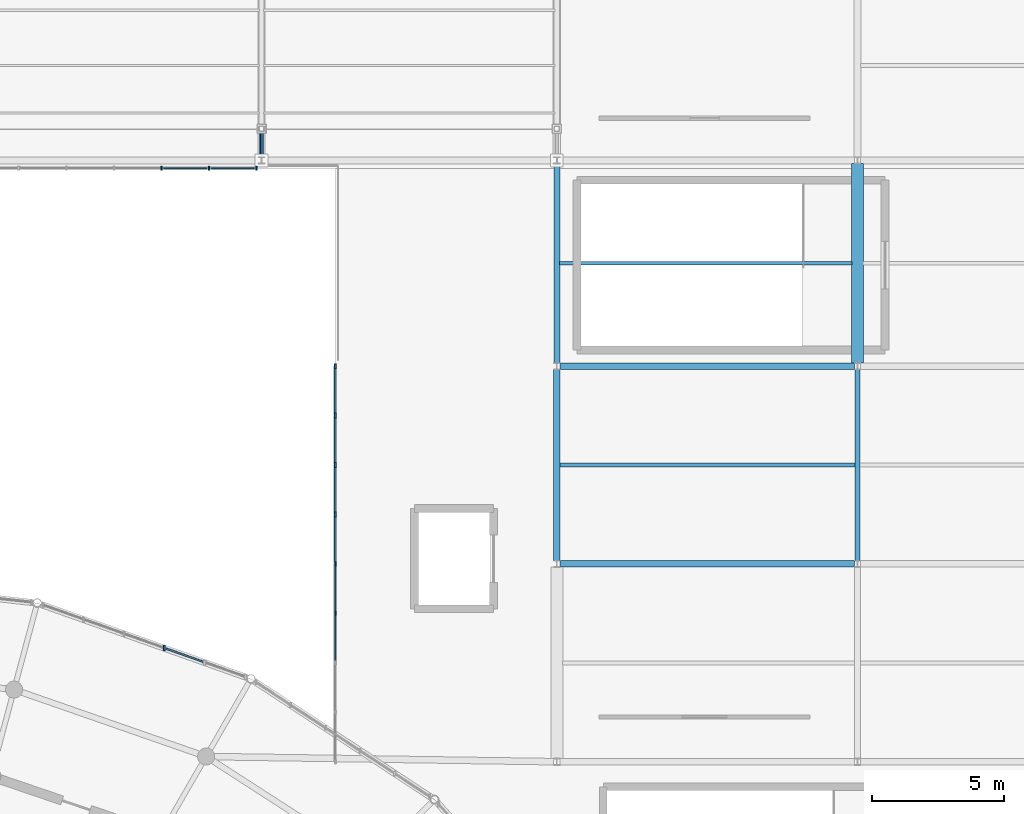
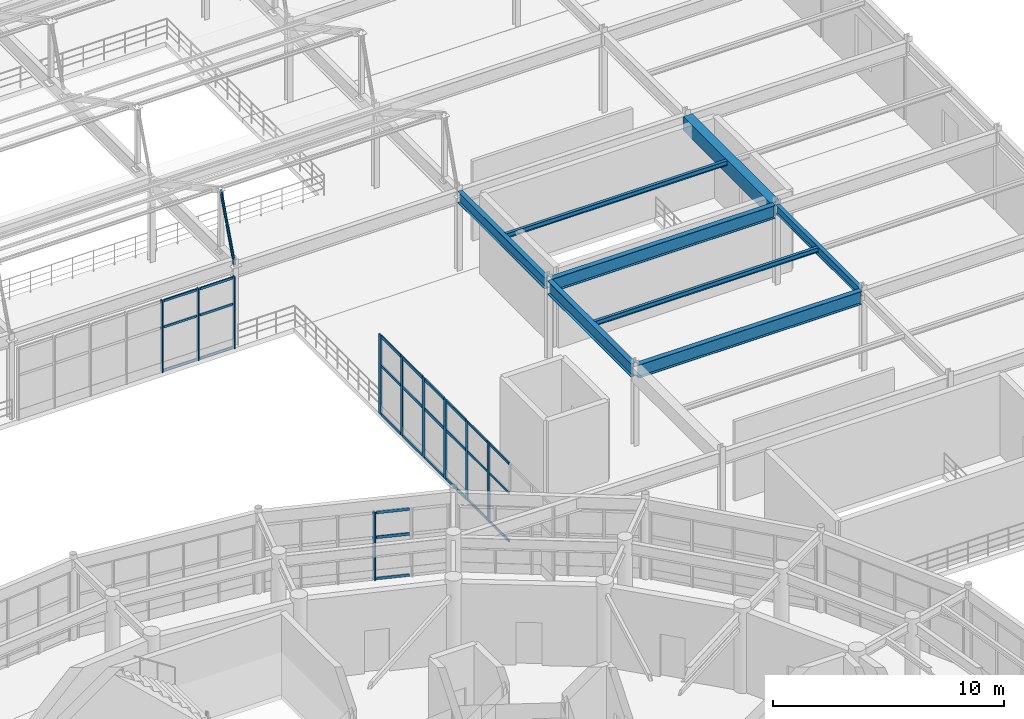
# One storey, part 64 of 112: 38 members, 8 beams, 4 elements without a shape of their own.
"""IFC4 building model written with IfcOpenShell, lengths in metres."""

from ifc_helpers import new_model, si_unit, direction, frame, origin, origin_2d, place, context, subcontext, project, spatial, rectangle, hollow_circle, i_section, extrude, material, material_profile, profile_set, type_object, element, aggregate, save


model = new_model("IFC4")

# Units and contexts
model_context = context("Model", 3, precision=1e-05, world=origin(), true_north=direction((0.0, 1.0)))
body_context = subcontext(model_context, "Body", "Model", "MODEL_VIEW")
ifc_project = project(units=[si_unit("LENGTHUNIT", "METRE"), si_unit("AREAUNIT", "SQUARE_METRE"), si_unit("VOLUMEUNIT", "CUBIC_METRE"), si_unit("PLANEANGLEUNIT", "RADIAN"), si_unit("MASSUNIT", "GRAM", prefix="KILO")], contexts=[model_context])

# Site, building, storey
site_placement = place(None, origin())
site = spatial("IfcSite", under=ifc_project, at=site_placement, CompositionType="ELEMENT")
building_placement = place(site_placement, origin())
building = spatial("IfcBuilding", under=site, at=building_placement, Name="Cinderbank Siding Concert Hall", CompositionType="ELEMENT")
storey_placement = place(building_placement, frame((0.0, 0.0, 10.199951171875)))
storey = spatial("IfcBuildingStorey", under=building, at=storey_placement, Name="L03", CompositionType="ELEMENT", Elevation=10.199951171875)

# Beams
ifc_material_1 = material(Name="Reinforced concrete AS 3600 N50 (50 MPa)", Category="concrete")
ifc_material_profile_1 = material_profile(ifc_material_1, rectangle(XDim=0.449951171875, YDim=0.75, at=origin_2d()), Name="RC-BM-450x750", Category="LoadBearing")
ifc_profile_set_1 = profile_set([ifc_material_profile_1], Name="Reinforced concrete AS 3600 N50 (50 MPa)")
beam_type_1 = type_object("IfcBeamType", Name="BM-RC750 RC-BM-450x750", PredefinedType="BEAM", material=ifc_profile_set_1)
beam_1_placement = place(storey_placement, frame((161.800048828125, 80.9189453125, 3.85693359375), z_axis=(0.0, 1.0, 0.0), x_axis=(-1.0, 0.0, 0.0)))
element("IfcBeam", 1, at=beam_1_placement, inside=storey, type_object=beam_type_1, Name="L03 Beam BM-RC750 #1797", PredefinedType="BEAM", context=body_context, shape_type="SweptSolid", body=[
    extrude(rectangle(XDim=0.449951171875, YDim=0.75, at=origin_2d()), origin(), (0.0, 0.0, 1.0), 7.56103515625),
])
ifc_material_2 = material(Name="Structural steel AS/NZS 3679.1 Grade 350 (340 MPa)", Category="steel")
ifc_material_profile_2 = material_profile(ifc_material_2, i_section(OverallWidth=0.18994140625, OverallDepth=0.45751953125, WebThickness=0.009033203125, FlangeThickness=0.014404296875, at=origin_2d()), Name="460UB74.6", Category="LoadBearing")
ifc_profile_set_2 = profile_set([ifc_material_profile_2], Name="Structural steel AS/NZS 3679.1 Grade 350 (340 MPa)")
beam_type_2 = type_object("IfcBeamType", Name="BM-UB460 460UB74.6", PredefinedType="BEAM", material=ifc_profile_set_2)
beam_2_placement = place(storey_placement, frame((161.800048828125, 73.4189453125, 4.00341796875), z_axis=(0.0, 1.0, 0.0), x_axis=(-1.0, 0.0, 0.0)))
element("IfcBeam", 2, at=beam_2_placement, inside=storey, type_object=beam_type_2, Name="L03 Beam BM-UB460 #1795", PredefinedType="BEAM", context=body_context, shape_type="SweptSolid", body=[
    extrude(i_section(OverallWidth=0.18994140625, OverallDepth=0.45751953125, WebThickness=0.009033203125, FlangeThickness=0.014404296875, at=origin_2d()), origin(), (0.0, 0.0, 1.0), 7.261962890625),
])
ifc_material_profile_3 = material_profile(ifc_material_2, i_section(OverallWidth=0.22802734375, OverallDepth=0.602294921875, WebThickness=0.010498046875, FlangeThickness=0.014892578125, at=origin_2d()), Name="610UB101", Category="LoadBearing")
ifc_profile_set_3 = profile_set([ifc_material_profile_3], Name="Structural steel AS/NZS 3679.1 Grade 350 (340 MPa)")
beam_type_3 = type_object("IfcBeamType", Name="BM-UB610 610UB101", PredefinedType="BEAM", material=ifc_profile_set_3)
beam_3_placement = place(storey_placement, frame((150.39990234375, 80.9189453125, 3.930908203125), z_axis=(0.0, 1.0, 0.0), x_axis=(-1.0, 0.0, 0.0)))
element("IfcBeam", 3, at=beam_3_placement, inside=storey, type_object=beam_type_3, Name="L03 Beam BM-UB610 #1791", PredefinedType="BEAM", context=body_context, shape_type="SweptSolid", body=[
    extrude(i_section(OverallWidth=0.22802734375, OverallDepth=0.602294921875, WebThickness=0.010498046875, FlangeThickness=0.014892578125, at=origin_2d()), origin(), (0.0, 0.0, 1.0), 7.56103515625),
])
ifc_material_3 = material(Name="Structural steel welded plate section AS/NZS 3679.2 / AS/NZS 3678 Grade 350 (340 MPa)", Category="steel")
ifc_material_profile_4 = material_profile(ifc_material_3, i_section(OverallWidth=0.25, OverallDepth=0.699951171875, WebThickness=0.010009765625, FlangeThickness=0.01611328125, at=origin_2d()), Name="700WB130", Category="LoadBearing")
ifc_profile_set_4 = profile_set([ifc_material_profile_4], Name="Structural steel welded plate section AS/NZS 3679.2 / AS/NZS 3678 Grade 350 (340 MPa)")
beam_type_4 = type_object("IfcBeamType", Name="BM-WB700 700WB130", PredefinedType="BEAM", material=ifc_profile_set_4)
beam_4_placement = place(storey_placement, frame((150.51904296875, 73.300048828125, 3.882080078125), z_axis=(1.0, 0.0, 0.0), x_axis=(0.0, 1.0, 0.0)))
element("IfcBeam", 4, at=beam_4_placement, inside=storey, type_object=beam_type_4, Name="L03 Beam BM-WB700 #1788", PredefinedType="BEAM", context=body_context, shape_type="SweptSolid", body=[
    extrude(i_section(OverallWidth=0.25, OverallDepth=0.699951171875, WebThickness=0.010009765625, FlangeThickness=0.01611328125, at=origin_2d()), origin(), (0.0, 0.0, 1.0), 11.161865234375),
])
beam_5_placement = place(storey_placement, frame((150.39990234375, 73.4189453125, 3.882080078125), z_axis=(0.0, 1.0, 0.0), x_axis=(-1.0, 0.0, 0.0)))
element("IfcBeam", 5, at=beam_5_placement, inside=storey, type_object=beam_type_4, Name="L03 Beam BM-WB700 #1789", PredefinedType="BEAM", context=body_context, shape_type="SweptSolid", body=[
    extrude(i_section(OverallWidth=0.25, OverallDepth=0.699951171875, WebThickness=0.010009765625, FlangeThickness=0.01611328125, at=origin_2d()), origin(), (0.0, 0.0, 1.0), 7.261962890625),
])
beam_6_placement = place(storey_placement, frame((150.51904296875, 80.800048828125, 3.882080078125), z_axis=(1.0, 0.0, 0.0), x_axis=(0.0, 1.0, 0.0)))
element("IfcBeam", 6, at=beam_6_placement, inside=storey, type_object=beam_type_4, Name="L03 Beam BM-WB700 #1790", PredefinedType="BEAM", context=body_context, shape_type="SweptSolid", body=[
    extrude(i_section(OverallWidth=0.25, OverallDepth=0.699951171875, WebThickness=0.010009765625, FlangeThickness=0.01611328125, at=origin_2d()), origin(), (0.0, 0.0, 1.0), 11.161865234375),
])

# Member
ifc_material_4 = material(Name="Structural steel hollow section AS/NZS 1163 Grade C350L0 (350 MPa)", Category="steel")
ifc_material_profile_5 = material_profile(ifc_material_4, hollow_circle(Radius=0.06982421875, WallThickness=0.00634765625, at=origin_2d()), Name="139.7x6.4CHS", Category="LoadBearing")
ifc_profile_set_5 = profile_set([ifc_material_profile_5], Name="Structural steel hollow section AS/NZS 1163 Grade C350L0 (350 MPa)")
member_type_1 = type_object("IfcMemberType", Name="BR-CHS139 139.7x6.4CHS Roof Truss", PredefinedType="BRACE", material=ifc_profile_set_5)
member_1_placement = place(storey_placement, frame((139.199951171875, 88.60009765625, 4.150146484375), z_axis=(0.0, 0.346361679598, 0.938101053675), x_axis=(-1.0, 0.0, 0.0)))
element("IfcMember", 7, at=member_1_placement, inside=storey, type_object=member_type_1, Name="L03 Diagonal Brace BR-CHS139 #V3DG-BR-CHS139-L03-2464", PredefinedType="BRACE", context=body_context, shape_type="SweptSolid", body=[
    extrude(hollow_circle(Radius=0.06982421875, WallThickness=0.00634765625, at=origin_2d()), origin(), (0.0, 0.0, 1.0), 3.46435546875),
])

# Curtain wall, members
ifc_material_5 = material(Name="Anodised aluminium alloy 6063-T6", Category="aluminium")
curtain_wall_type_1 = type_object("IfcCurtainWallType", Name="CW-16 Unitised Acoustic Curtain Wall 9200x3800", PredefinedType="NOTDEFINED", material=ifc_material_5)
curtain_wall_1_placement = place(storey_placement, origin())
curtain_wall_1 = element("IfcCurtainWall", 8, at=curtain_wall_1_placement, inside=storey, type_object=curtain_wall_type_1, Name="L03 Curtain Wall CW-16 #148", PredefinedType="NOTDEFINED")
ifc_material_profile_6 = material_profile(ifc_material_5, rectangle(XDim=0.06005859375, YDim=0.159912109375, at=origin_2d()), Name="ALU-MULL-60x160", Category="LoadBearing")
ifc_profile_set_6 = profile_set([ifc_material_profile_6], Name="Anodised aluminium alloy 6063-T6")
member_type_2 = type_object("IfcMemberType", Name="CW-ML1 Mullion 60x160", PredefinedType="MULLION", material=ifc_profile_set_6)
member_2_placement = place(storey_placement, frame((142.0, 71.425048828125, 0.0), z_axis=(0.0, 0.0, 1.0), x_axis=(1.0, 0.0, 0.0)))
member_2 = element("IfcMember", 9, at=member_2_placement, type_object=member_type_2, Name="CW-L03-148 Mullion 3", PredefinedType="MULLION", context=body_context, shape_type="SweptSolid", body=[
    extrude(rectangle(XDim=0.06005859375, YDim=0.159912109375, at=origin_2d()), origin(), (0.0, 0.0, 1.0), 4.215087890625),
])
member_3_placement = place(storey_placement, frame((142.0, 73.300048828125, 0.0), z_axis=(0.0, 0.0, 1.0), x_axis=(1.0, 0.0, 0.0)))
member_3 = element("IfcMember", 10, at=member_3_placement, type_object=member_type_2, Name="CW-L03-148 Mullion 4", PredefinedType="MULLION", context=body_context, shape_type="SweptSolid", body=[
    extrude(rectangle(XDim=0.06005859375, YDim=0.159912109375, at=origin_2d()), origin(), (0.0, 0.0, 1.0), 4.215087890625),
])

curtain_wall_2_placement = place(storey_placement, origin())
curtain_wall_2 = element("IfcCurtainWall", 11, at=curtain_wall_2_placement, inside=storey, type_object=curtain_wall_type_1, Name="L03 Curtain Wall CW-16 #152", PredefinedType="NOTDEFINED")
member_4_placement = place(storey_placement, frame((135.40234375, 88.300048828125, 0.0), z_axis=(0.0, 0.0, 1.0), x_axis=(1.0, 0.0, 0.0)))
member_4 = element("IfcMember", 12, at=member_4_placement, type_object=member_type_2, Name="CW-L03-152 Mullion 4", PredefinedType="MULLION", context=body_context, shape_type="SweptSolid", body=[
    extrude(rectangle(XDim=0.06005859375, YDim=0.159912109375, at=origin_2d()), origin(), (0.0, 0.0, 1.0), 3.797119140625),
])
member_5_placement = place(storey_placement, frame((137.20458984375, 88.300048828125, 0.0), z_axis=(0.0, 0.0, 1.0), x_axis=(1.0, 0.0, 0.0)))
member_5 = element("IfcMember", 13, at=member_5_placement, type_object=member_type_2, Name="CW-L03-152 Mullion 5", PredefinedType="MULLION", context=body_context, shape_type="SweptSolid", body=[
    extrude(rectangle(XDim=0.06005859375, YDim=0.159912109375, at=origin_2d()), origin(), (0.0, 0.0, 1.0), 3.797119140625),
])
member_6_placement = place(storey_placement, frame((139.007080078125, 88.300048828125, 0.0), z_axis=(0.0, 0.0, 1.0), x_axis=(1.0, 0.0, 0.0)))
member_6 = element("IfcMember", 14, at=member_6_placement, type_object=member_type_2, Name="CW-L03-152 Mullion 6", PredefinedType="MULLION", context=body_context, shape_type="SweptSolid", body=[
    extrude(rectangle(XDim=0.06005859375, YDim=0.159912109375, at=origin_2d()), origin(), (0.0, 0.0, 1.0), 3.797119140625),
])

# Curtain wall, member
curtain_wall_type_2 = type_object("IfcCurtainWallType", Name="CW-05 Unitised Acoustic Curtain Wall 8200x3800", PredefinedType="NOTDEFINED", material=ifc_material_5)
curtain_wall_3_placement = place(storey_placement, origin())
curtain_wall_3 = element("IfcCurtainWall", 15, at=curtain_wall_3_placement, inside=storey, type_object=curtain_wall_type_2, Name="L03 Curtain Wall CW-05 #29", PredefinedType="NOTDEFINED")
ifc_material_profile_7 = material_profile(ifc_material_5, rectangle(XDim=0.06494140625, YDim=0.199951171875, at=origin_2d()), Name="ALU-MULL-65x200", Category="LoadBearing")
ifc_profile_set_7 = profile_set([ifc_material_profile_7], Name="Anodised aluminium alloy 6063-T6")
member_type_3 = type_object("IfcMemberType", Name="CW-ML2 Mullion 65x200", PredefinedType="MULLION", material=ifc_profile_set_7)
member_7_placement = place(storey_placement, frame((135.515625, 70.107666015625, 0.0), z_axis=(0.0, 0.0, 1.0), x_axis=(1.0, 0.0, 0.0)))
member_7 = element("IfcMember", 16, at=member_7_placement, type_object=member_type_3, Name="CW-L03-029 Mullion 2", PredefinedType="MULLION", context=body_context, shape_type="SweptSolid", body=[
    extrude(rectangle(XDim=0.06494140625, YDim=0.199951171875, at=origin_2d()), origin(), (0.0, 0.0, 1.0), 3.616943359375),
])

# Curtain wall, members
curtain_wall_4_placement = place(storey_placement, origin())
curtain_wall_4 = element("IfcCurtainWall", 17, at=curtain_wall_4_placement, inside=storey, type_object=curtain_wall_type_1, Name="L03 Curtain Wall CW-16 #149", PredefinedType="NOTDEFINED")
member_8_placement = place(storey_placement, frame((142.0, 75.175048828125, 0.0), z_axis=(0.0, 0.0, 1.0), x_axis=(1.0, 0.0, 0.0)))
member_8 = element("IfcMember", 18, at=member_8_placement, type_object=member_type_3, Name="CW-L03-149 Mullion 1", PredefinedType="MULLION", context=body_context, shape_type="SweptSolid", body=[
    extrude(rectangle(XDim=0.06494140625, YDim=0.199951171875, at=origin_2d()), origin(), (0.0, 0.0, 1.0), 4.215087890625),
])
member_9_placement = place(storey_placement, frame((142.0, 77.050048828125, 0.0), z_axis=(0.0, 0.0, 1.0), x_axis=(1.0, 0.0, 0.0)))
member_9 = element("IfcMember", 19, at=member_9_placement, type_object=member_type_3, Name="CW-L03-149 Mullion 2", PredefinedType="MULLION", context=body_context, shape_type="SweptSolid", body=[
    extrude(rectangle(XDim=0.06494140625, YDim=0.199951171875, at=origin_2d()), origin(), (0.0, 0.0, 1.0), 4.215087890625),
])
member_10_placement = place(storey_placement, frame((142.0, 78.925048828125, 0.0), z_axis=(0.0, 0.0, 1.0), x_axis=(1.0, 0.0, 0.0)))
member_10 = element("IfcMember", 20, at=member_10_placement, type_object=member_type_3, Name="CW-L03-149 Mullion 3", PredefinedType="MULLION", context=body_context, shape_type="SweptSolid", body=[
    extrude(rectangle(XDim=0.06494140625, YDim=0.199951171875, at=origin_2d()), origin(), (0.0, 0.0, 1.0), 4.215087890625),
])
member_11_placement = place(storey_placement, frame((142.0, 80.800048828125, 0.0), z_axis=(0.0, 0.0, 1.0), x_axis=(1.0, 0.0, 0.0)))
member_11 = element("IfcMember", 21, at=member_11_placement, type_object=member_type_3, Name="CW-L03-149 Mullion 4", PredefinedType="MULLION", context=body_context, shape_type="SweptSolid", body=[
    extrude(rectangle(XDim=0.06494140625, YDim=0.199951171875, at=origin_2d()), origin(), (0.0, 0.0, 1.0), 4.215087890625),
])

# Member
ifc_material_profile_8 = material_profile(ifc_material_5, rectangle(XDim=0.06005859375, YDim=0.1201171875, at=origin_2d()), Name="ALU-TRAN-60x120", Category="LoadBearing")
ifc_profile_set_8 = profile_set([ifc_material_profile_8], Name="Anodised aluminium alloy 6063-T6")
member_type_4 = type_object("IfcMemberType", Name="CW-TR1 Transom 60x120", PredefinedType="USERDEFINED", material=ifc_profile_set_8)
member_12_placement = place(storey_placement, frame((142.0, 69.643798828125, 0.06005859375), z_axis=(0.0, 1.0, 0.0), x_axis=(-1.0, 0.0, 0.0)))
member_12 = element("IfcMember", 22, at=member_12_placement, type_object=member_type_4, Name="CW-L03-148 Transom 2-0", ObjectType="TRANSOM", PredefinedType="USERDEFINED", context=body_context, shape_type="SweptSolid", body=[
    extrude(rectangle(XDim=0.06005859375, YDim=0.1201171875, at=origin_2d()), origin(), (0.0, 0.0, 1.0), 1.6875),
])

member_13_placement = place(storey_placement, frame((142.0, 69.643798828125, 2.61328125), z_axis=(0.0, 1.0, 0.0), x_axis=(-1.0, 0.0, 0.0)))
member_13 = element("IfcMember", 23, at=member_13_placement, type_object=member_type_4, Name="CW-L03-148 Transom 2-1", ObjectType="TRANSOM", PredefinedType="USERDEFINED", context=body_context, shape_type="SweptSolid", body=[
    extrude(rectangle(XDim=0.06005859375, YDim=0.1201171875, at=origin_2d()), origin(), (0.0, 0.0, 1.0), 1.6875),
])

member_14_placement = place(storey_placement, frame((142.0, 69.643798828125, 4.155029296875), z_axis=(0.0, 1.0, 0.0), x_axis=(-1.0, 0.0, 0.0)))
member_14 = element("IfcMember", 24, at=member_14_placement, type_object=member_type_4, Name="CW-L03-148 Transom 2-2", ObjectType="TRANSOM", PredefinedType="USERDEFINED", context=body_context, shape_type="SweptSolid", body=[
    extrude(rectangle(XDim=0.06005859375, YDim=0.1201171875, at=origin_2d()), origin(), (0.0, 0.0, 1.0), 1.6875),
])

member_15_placement = place(storey_placement, frame((142.0, 71.518798828125, 0.06005859375), z_axis=(0.0, 1.0, 0.0), x_axis=(-1.0, 0.0, 0.0)))
member_15 = element("IfcMember", 25, at=member_15_placement, type_object=member_type_4, Name="CW-L03-148 Transom 3-0", ObjectType="TRANSOM", PredefinedType="USERDEFINED", context=body_context, shape_type="SweptSolid", body=[
    extrude(rectangle(XDim=0.06005859375, YDim=0.1201171875, at=origin_2d()), origin(), (0.0, 0.0, 1.0), 1.6875),
])

member_16_placement = place(storey_placement, frame((142.0, 71.518798828125, 2.61328125), z_axis=(0.0, 1.0, 0.0), x_axis=(-1.0, 0.0, 0.0)))
member_16 = element("IfcMember", 26, at=member_16_placement, type_object=member_type_4, Name="CW-L03-148 Transom 3-1", ObjectType="TRANSOM", PredefinedType="USERDEFINED", context=body_context, shape_type="SweptSolid", body=[
    extrude(rectangle(XDim=0.06005859375, YDim=0.1201171875, at=origin_2d()), origin(), (0.0, 0.0, 1.0), 1.6875),
])

member_17_placement = place(storey_placement, frame((142.0, 71.518798828125, 4.155029296875), z_axis=(0.0, 1.0, 0.0), x_axis=(-1.0, 0.0, 0.0)))
member_17 = element("IfcMember", 27, at=member_17_placement, type_object=member_type_4, Name="CW-L03-148 Transom 3-2", ObjectType="TRANSOM", PredefinedType="USERDEFINED", context=body_context, shape_type="SweptSolid", body=[
    extrude(rectangle(XDim=0.06005859375, YDim=0.1201171875, at=origin_2d()), origin(), (0.0, 0.0, 1.0), 1.6875),
])

aggregate(curtain_wall_1, [member_2, member_3, member_12, member_13, member_14, member_15, member_16, member_17])

member_18_placement = place(storey_placement, frame((135.492431640625, 88.300048828125, 0.06005859375), z_axis=(1.0, 0.0, 0.0), x_axis=(0.0, 1.0, 0.0)))
member_18 = element("IfcMember", 28, at=member_18_placement, type_object=member_type_4, Name="CW-L03-152 Transom 4-0", ObjectType="TRANSOM", PredefinedType="USERDEFINED", context=body_context, shape_type="SweptSolid", body=[
    extrude(rectangle(XDim=0.06005859375, YDim=0.1201171875, at=origin_2d()), origin(), (0.0, 0.0, 1.0), 1.6220703125),
])

member_19_placement = place(storey_placement, frame((135.492431640625, 88.300048828125, 2.354248046875), z_axis=(1.0, 0.0, 0.0), x_axis=(0.0, 1.0, 0.0)))
member_19 = element("IfcMember", 29, at=member_19_placement, type_object=member_type_4, Name="CW-L03-152 Transom 4-1", ObjectType="TRANSOM", PredefinedType="USERDEFINED", context=body_context, shape_type="SweptSolid", body=[
    extrude(rectangle(XDim=0.06005859375, YDim=0.1201171875, at=origin_2d()), origin(), (0.0, 0.0, 1.0), 1.6220703125),
])

member_20_placement = place(storey_placement, frame((135.492431640625, 88.300048828125, 3.737060546875), z_axis=(1.0, 0.0, 0.0), x_axis=(0.0, 1.0, 0.0)))
member_20 = element("IfcMember", 30, at=member_20_placement, type_object=member_type_4, Name="CW-L03-152 Transom 4-2", ObjectType="TRANSOM", PredefinedType="USERDEFINED", context=body_context, shape_type="SweptSolid", body=[
    extrude(rectangle(XDim=0.06005859375, YDim=0.1201171875, at=origin_2d()), origin(), (0.0, 0.0, 1.0), 1.6220703125),
])

member_21_placement = place(storey_placement, frame((137.294921875, 88.300048828125, 0.06005859375), z_axis=(1.0, 0.0, 0.0), x_axis=(0.0, 1.0, 0.0)))
member_21 = element("IfcMember", 31, at=member_21_placement, type_object=member_type_4, Name="CW-L03-152 Transom 5-0", ObjectType="TRANSOM", PredefinedType="USERDEFINED", context=body_context, shape_type="SweptSolid", body=[
    extrude(rectangle(XDim=0.06005859375, YDim=0.1201171875, at=origin_2d()), origin(), (0.0, 0.0, 1.0), 1.6220703125),
])

member_22_placement = place(storey_placement, frame((137.294921875, 88.300048828125, 2.354248046875), z_axis=(1.0, 0.0, 0.0), x_axis=(0.0, 1.0, 0.0)))
member_22 = element("IfcMember", 32, at=member_22_placement, type_object=member_type_4, Name="CW-L03-152 Transom 5-1", ObjectType="TRANSOM", PredefinedType="USERDEFINED", context=body_context, shape_type="SweptSolid", body=[
    extrude(rectangle(XDim=0.06005859375, YDim=0.1201171875, at=origin_2d()), origin(), (0.0, 0.0, 1.0), 1.6220703125),
])

member_23_placement = place(storey_placement, frame((137.294921875, 88.300048828125, 3.737060546875), z_axis=(1.0, 0.0, 0.0), x_axis=(0.0, 1.0, 0.0)))
member_23 = element("IfcMember", 33, at=member_23_placement, type_object=member_type_4, Name="CW-L03-152 Transom 5-2", ObjectType="TRANSOM", PredefinedType="USERDEFINED", context=body_context, shape_type="SweptSolid", body=[
    extrude(rectangle(XDim=0.06005859375, YDim=0.1201171875, at=origin_2d()), origin(), (0.0, 0.0, 1.0), 1.6220703125),
])

aggregate(curtain_wall_2, [member_4, member_5, member_6, member_18, member_19, member_20, member_21, member_22, member_23])

ifc_material_profile_9 = material_profile(ifc_material_5, rectangle(XDim=0.06494140625, YDim=0.14990234375, at=origin_2d()), Name="ALU-TRAN-65x150", Category="LoadBearing")
ifc_profile_set_9 = profile_set([ifc_material_profile_9], Name="Anodised aluminium alloy 6063-T6")
member_type_5 = type_object("IfcMemberType", Name="CW-TR2 Transom 65x150", PredefinedType="USERDEFINED", material=ifc_profile_set_9)
member_24_placement = place(storey_placement, frame((136.97412109375, 69.58984375, 0.06005859375), z_axis=(-0.942376945381, 0.334552974602, 0.0), x_axis=(-0.334552974602, -0.942376945381, 0.0)))
member_24 = element("IfcMember", 34, at=member_24_placement, type_object=member_type_5, Name="CW-L03-029 Transom 1-0", ObjectType="TRANSOM", PredefinedType="USERDEFINED", context=body_context, shape_type="SweptSolid", body=[
    extrude(rectangle(XDim=0.06494140625, YDim=0.14990234375, at=origin_2d()), origin(), (0.0, 0.0, 1.0), 1.466064453125),
])

member_25_placement = place(storey_placement, frame((136.97412109375, 69.58984375, 2.242431640625), z_axis=(-0.942376945381, 0.334552974602, 0.0), x_axis=(-0.334552974602, -0.942376945381, 0.0)))
member_25 = element("IfcMember", 35, at=member_25_placement, type_object=member_type_5, Name="CW-L03-029 Transom 1-1", ObjectType="TRANSOM", PredefinedType="USERDEFINED", context=body_context, shape_type="SweptSolid", body=[
    extrude(rectangle(XDim=0.06494140625, YDim=0.14990234375, at=origin_2d()), origin(), (0.0, 0.0, 1.0), 1.466064453125),
])

member_26_placement = place(storey_placement, frame((136.97412109375, 69.58984375, 3.55712890625), z_axis=(-0.942376945381, 0.334552974602, 0.0), x_axis=(-0.334552974602, -0.942376945381, 0.0)))
member_26 = element("IfcMember", 36, at=member_26_placement, type_object=member_type_5, Name="CW-L03-029 Transom 1-2", ObjectType="TRANSOM", PredefinedType="USERDEFINED", context=body_context, shape_type="SweptSolid", body=[
    extrude(rectangle(XDim=0.06494140625, YDim=0.14990234375, at=origin_2d()), origin(), (0.0, 0.0, 1.0), 1.466064453125),
])

aggregate(curtain_wall_3, [member_7, member_24, member_25, member_26])

member_27_placement = place(storey_placement, frame((142.0, 73.393798828125, 0.06005859375), z_axis=(0.0, 1.0, 0.0), x_axis=(-1.0, 0.0, 0.0)))
member_27 = element("IfcMember", 37, at=member_27_placement, type_object=member_type_5, Name="CW-L03-149 Transom 0-0", ObjectType="TRANSOM", PredefinedType="USERDEFINED", context=body_context, shape_type="SweptSolid", body=[
    extrude(rectangle(XDim=0.06494140625, YDim=0.14990234375, at=origin_2d()), origin(), (0.0, 0.0, 1.0), 1.6875),
])

member_28_placement = place(storey_placement, frame((142.0, 73.393798828125, 2.61328125), z_axis=(0.0, 1.0, 0.0), x_axis=(-1.0, 0.0, 0.0)))
member_28 = element("IfcMember", 38, at=member_28_placement, type_object=member_type_5, Name="CW-L03-149 Transom 0-1", ObjectType="TRANSOM", PredefinedType="USERDEFINED", context=body_context, shape_type="SweptSolid", body=[
    extrude(rectangle(XDim=0.06494140625, YDim=0.14990234375, at=origin_2d()), origin(), (0.0, 0.0, 1.0), 1.6875),
])

member_29_placement = place(storey_placement, frame((142.0, 73.393798828125, 4.155029296875), z_axis=(0.0, 1.0, 0.0), x_axis=(-1.0, 0.0, 0.0)))
member_29 = element("IfcMember", 39, at=member_29_placement, type_object=member_type_5, Name="CW-L03-149 Transom 0-2", ObjectType="TRANSOM", PredefinedType="USERDEFINED", context=body_context, shape_type="SweptSolid", body=[
    extrude(rectangle(XDim=0.06494140625, YDim=0.14990234375, at=origin_2d()), origin(), (0.0, 0.0, 1.0), 1.6875),
])

member_30_placement = place(storey_placement, frame((142.0, 75.268798828125, 0.06005859375), z_axis=(0.0, 1.0, 0.0), x_axis=(-1.0, 0.0, 0.0)))
member_30 = element("IfcMember", 40, at=member_30_placement, type_object=member_type_5, Name="CW-L03-149 Transom 1-0", ObjectType="TRANSOM", PredefinedType="USERDEFINED", context=body_context, shape_type="SweptSolid", body=[
    extrude(rectangle(XDim=0.06494140625, YDim=0.14990234375, at=origin_2d()), origin(), (0.0, 0.0, 1.0), 1.6875),
])

member_31_placement = place(storey_placement, frame((142.0, 75.268798828125, 2.61328125), z_axis=(0.0, 1.0, 0.0), x_axis=(-1.0, 0.0, 0.0)))
member_31 = element("IfcMember", 41, at=member_31_placement, type_object=member_type_5, Name="CW-L03-149 Transom 1-1", ObjectType="TRANSOM", PredefinedType="USERDEFINED", context=body_context, shape_type="SweptSolid", body=[
    extrude(rectangle(XDim=0.06494140625, YDim=0.14990234375, at=origin_2d()), origin(), (0.0, 0.0, 1.0), 1.6875),
])

member_32_placement = place(storey_placement, frame((142.0, 75.268798828125, 4.155029296875), z_axis=(0.0, 1.0, 0.0), x_axis=(-1.0, 0.0, 0.0)))
member_32 = element("IfcMember", 42, at=member_32_placement, type_object=member_type_5, Name="CW-L03-149 Transom 1-2", ObjectType="TRANSOM", PredefinedType="USERDEFINED", context=body_context, shape_type="SweptSolid", body=[
    extrude(rectangle(XDim=0.06494140625, YDim=0.14990234375, at=origin_2d()), origin(), (0.0, 0.0, 1.0), 1.6875),
])

member_33_placement = place(storey_placement, frame((142.0, 77.143798828125, 0.06005859375), z_axis=(0.0, 1.0, 0.0), x_axis=(-1.0, 0.0, 0.0)))
member_33 = element("IfcMember", 43, at=member_33_placement, type_object=member_type_5, Name="CW-L03-149 Transom 2-0", ObjectType="TRANSOM", PredefinedType="USERDEFINED", context=body_context, shape_type="SweptSolid", body=[
    extrude(rectangle(XDim=0.06494140625, YDim=0.14990234375, at=origin_2d()), origin(), (0.0, 0.0, 1.0), 1.6875),
])

member_34_placement = place(storey_placement, frame((142.0, 77.143798828125, 2.61328125), z_axis=(0.0, 1.0, 0.0), x_axis=(-1.0, 0.0, 0.0)))
member_34 = element("IfcMember", 44, at=member_34_placement, type_object=member_type_5, Name="CW-L03-149 Transom 2-1", ObjectType="TRANSOM", PredefinedType="USERDEFINED", context=body_context, shape_type="SweptSolid", body=[
    extrude(rectangle(XDim=0.06494140625, YDim=0.14990234375, at=origin_2d()), origin(), (0.0, 0.0, 1.0), 1.6875),
])

member_35_placement = place(storey_placement, frame((142.0, 77.143798828125, 4.155029296875), z_axis=(0.0, 1.0, 0.0), x_axis=(-1.0, 0.0, 0.0)))
member_35 = element("IfcMember", 45, at=member_35_placement, type_object=member_type_5, Name="CW-L03-149 Transom 2-2", ObjectType="TRANSOM", PredefinedType="USERDEFINED", context=body_context, shape_type="SweptSolid", body=[
    extrude(rectangle(XDim=0.06494140625, YDim=0.14990234375, at=origin_2d()), origin(), (0.0, 0.0, 1.0), 1.6875),
])

member_36_placement = place(storey_placement, frame((142.0, 79.018798828125, 0.06005859375), z_axis=(0.0, 1.0, 0.0), x_axis=(-1.0, 0.0, 0.0)))
member_36 = element("IfcMember", 46, at=member_36_placement, type_object=member_type_5, Name="CW-L03-149 Transom 3-0", ObjectType="TRANSOM", PredefinedType="USERDEFINED", context=body_context, shape_type="SweptSolid", body=[
    extrude(rectangle(XDim=0.06494140625, YDim=0.14990234375, at=origin_2d()), origin(), (0.0, 0.0, 1.0), 1.6875),
])

member_37_placement = place(storey_placement, frame((142.0, 79.018798828125, 2.61328125), z_axis=(0.0, 1.0, 0.0), x_axis=(-1.0, 0.0, 0.0)))
member_37 = element("IfcMember", 47, at=member_37_placement, type_object=member_type_5, Name="CW-L03-149 Transom 3-1", ObjectType="TRANSOM", PredefinedType="USERDEFINED", context=body_context, shape_type="SweptSolid", body=[
    extrude(rectangle(XDim=0.06494140625, YDim=0.14990234375, at=origin_2d()), origin(), (0.0, 0.0, 1.0), 1.6875),
])

member_38_placement = place(storey_placement, frame((142.0, 79.018798828125, 4.155029296875), z_axis=(0.0, 1.0, 0.0), x_axis=(-1.0, 0.0, 0.0)))
member_38 = element("IfcMember", 48, at=member_38_placement, type_object=member_type_5, Name="CW-L03-149 Transom 3-2", ObjectType="TRANSOM", PredefinedType="USERDEFINED", context=body_context, shape_type="SweptSolid", body=[
    extrude(rectangle(XDim=0.06494140625, YDim=0.14990234375, at=origin_2d()), origin(), (0.0, 0.0, 1.0), 1.6875),
])

aggregate(curtain_wall_4, [member_8, member_9, member_10, member_11, member_27, member_28, member_29, member_30, member_31, member_32, member_33, member_34, member_35, member_36, member_37, member_38])

# Beams
ifc_material_profile_10 = material_profile(ifc_material_2, i_section(OverallWidth=0.14599609375, OverallDepth=0.251708984375, WebThickness=0.006103515625, FlangeThickness=0.008544921875, at=origin_2d()), Name="250UB31.4", Category="LoadBearing")
ifc_profile_set_10 = profile_set([ifc_material_profile_10], Name="Structural steel AS/NZS 3679.1 Grade 350 (340 MPa)")
beam_type_5 = type_object("IfcBeamType", Name="JS-UB250 250UB31.4", PredefinedType="JOIST", material=ifc_profile_set_10)
beam_7_placement = place(storey_placement, frame((150.51708984375, 77.050048828125, 4.106201171875), z_axis=(1.0, 0.0, 0.0), x_axis=(0.0, 1.0, 0.0)))
element("IfcBeam", 49, at=beam_7_placement, inside=storey, type_object=beam_type_5, Name="L03 Beam JS-UB250 #1840", PredefinedType="JOIST", context=body_context, shape_type="SweptSolid", body=[
    extrude(i_section(OverallWidth=0.14599609375, OverallDepth=0.251708984375, WebThickness=0.006103515625, FlangeThickness=0.008544921875, at=origin_2d()), origin(), (0.0, 0.0, 1.0), 11.19580078125),
])
beam_8_placement = place(storey_placement, frame((150.506103515625, 84.699951171875, 4.106201171875), z_axis=(1.0, 0.0, 0.0), x_axis=(0.0, 1.0, 0.0)))
element("IfcBeam", 50, at=beam_8_placement, inside=storey, type_object=beam_type_5, Name="L03 Beam JS-UB250 #1841", PredefinedType="JOIST", context=body_context, shape_type="SweptSolid", body=[
    extrude(i_section(OverallWidth=0.14599609375, OverallDepth=0.251708984375, WebThickness=0.006103515625, FlangeThickness=0.008544921875, at=origin_2d()), origin(), (0.0, 0.0, 1.0), 11.076904296875),
])

save(model, "model.ifc")
